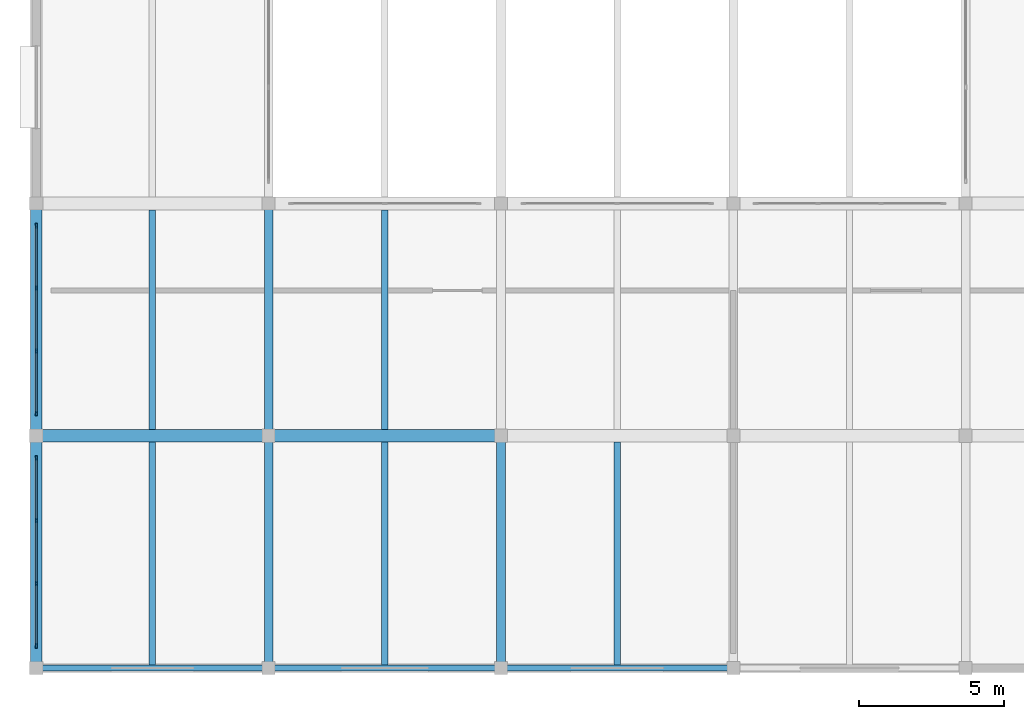
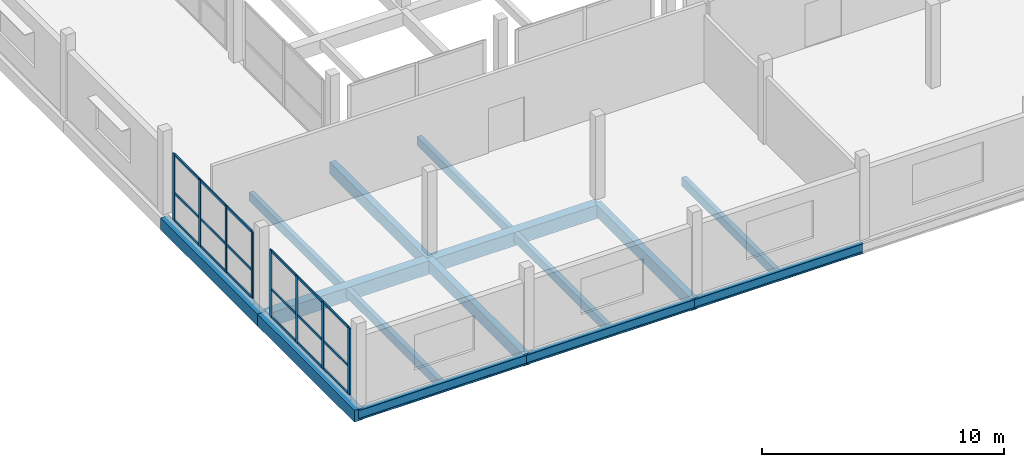
# One storey, part 5 of 53: 26 members, 15 beams, 2 elements without a shape of their own.
"""IFC4 building model written with IfcOpenShell, lengths in metres."""

from ifc_helpers import new_model, si_unit, direction, frame, origin, origin_2d, place, context, subcontext, project, spatial, rectangle, i_section, extrude, material, material_profile, profile_set, type_object, element, aggregate, save


model = new_model("IFC4")

# Units and contexts
model_context = context("Model", 3, precision=1e-05, world=origin(), true_north=direction((0.0, 1.0)))
body_context = subcontext(model_context, "Body", "Model", "MODEL_VIEW")
ifc_project = project(units=[si_unit("LENGTHUNIT", "METRE"), si_unit("AREAUNIT", "SQUARE_METRE"), si_unit("VOLUMEUNIT", "CUBIC_METRE"), si_unit("PLANEANGLEUNIT", "RADIAN"), si_unit("MASSUNIT", "GRAM", prefix="KILO")], contexts=[model_context])

# Site, building, storey
site_placement = place(None, origin())
site = spatial("IfcSite", under=ifc_project, at=site_placement, CompositionType="ELEMENT")
building_placement = place(site_placement, origin())
building = spatial("IfcBuilding", under=site, at=building_placement, Name="Vharandega Faculty of Natural Sciences", CompositionType="ELEMENT")
storey_placement = place(building_placement, frame((0.0, 0.0, 10.199951171875)))
storey = spatial("IfcBuildingStorey", under=building, at=storey_placement, Name="L02", CompositionType="ELEMENT", Elevation=10.199951171875)

# Curtain wall, members
ifc_material_1 = material(Name="Aluminium and solar-control glass curtain wall", Category="aluminium")
curtain_wall_type_1 = type_object("IfcCurtainWallType", Name="Unitised Curtain Wall System CW-20", PredefinedType="NOTDEFINED", material=ifc_material_1)
curtain_wall_1_placement = place(storey_placement, origin())
curtain_wall_1 = element("IfcCurtainWall", 1, at=curtain_wall_1_placement, inside=storey, type_object=curtain_wall_type_1, Name="Curtain Wall CW-L02-131", PredefinedType="NOTDEFINED")
ifc_material_2 = material(Name="Thermally broken aluminium 6063-T6", Category="aluminium")
ifc_material_profile_1 = material_profile(ifc_material_2, rectangle(XDim=0.06005859375, YDim=0.159912109375, at=origin_2d()), Name="ALU 60x160")
ifc_profile_set_1 = profile_set([ifc_material_profile_1], Name="Thermally broken aluminium 6063-T6")
member_type_1 = type_object("IfcMemberType", Name="CW Mullion 60x160", PredefinedType="MULLION", material=ifc_profile_set_1)
member_1_placement = place(storey_placement, frame((0.0, 0.77001953125, 0.0), z_axis=(0.0, 0.0, 1.0), x_axis=(-1.0, 0.0, 0.0)))
member_1 = element("IfcMember", 2, at=member_1_placement, type_object=member_type_1, Name="CW-20 mullion 1", PredefinedType="MULLION", context=body_context, shape_type="SweptSolid", body=[
    extrude(rectangle(XDim=0.06005859375, YDim=0.159912109375, at=origin_2d()), origin(), (0.0, 0.0, 1.0), 3.360107421875),
])
member_2_placement = place(storey_placement, frame((0.0, 2.913330078125, 0.0), z_axis=(0.0, 0.0, 1.0), x_axis=(-1.0, 0.0, 0.0)))
member_2 = element("IfcMember", 3, at=member_2_placement, type_object=member_type_1, Name="CW-20 mullion 2", PredefinedType="MULLION", context=body_context, shape_type="SweptSolid", body=[
    extrude(rectangle(XDim=0.06005859375, YDim=0.159912109375, at=origin_2d()), origin(), (0.0, 0.0, 1.0), 3.360107421875),
])
member_3_placement = place(storey_placement, frame((0.0, 5.086669921875, 0.0), z_axis=(0.0, 0.0, 1.0), x_axis=(-1.0, 0.0, 0.0)))
member_3 = element("IfcMember", 4, at=member_3_placement, type_object=member_type_1, Name="CW-20 mullion 3", PredefinedType="MULLION", context=body_context, shape_type="SweptSolid", body=[
    extrude(rectangle(XDim=0.06005859375, YDim=0.159912109375, at=origin_2d()), origin(), (0.0, 0.0, 1.0), 3.360107421875),
])
member_4_placement = place(storey_placement, frame((0.0, 7.22998046875, 0.0), z_axis=(0.0, 0.0, 1.0), x_axis=(-1.0, 0.0, 0.0)))
member_4 = element("IfcMember", 5, at=member_4_placement, type_object=member_type_1, Name="CW-20 mullion 4", PredefinedType="MULLION", context=body_context, shape_type="SweptSolid", body=[
    extrude(rectangle(XDim=0.06005859375, YDim=0.159912109375, at=origin_2d()), origin(), (0.0, 0.0, 1.0), 3.360107421875),
])

ifc_material_3 = material(Name="Aluminium and solar-control glass curtain wall", Category="aluminium")
curtain_wall_type_2 = type_object("IfcCurtainWallType", Name="Unitised Curtain Wall System CW-21", PredefinedType="NOTDEFINED", material=ifc_material_3)
curtain_wall_2_placement = place(storey_placement, origin())
curtain_wall_2 = element("IfcCurtainWall", 6, at=curtain_wall_2_placement, inside=storey, type_object=curtain_wall_type_2, Name="Curtain Wall CW-L02-132", PredefinedType="NOTDEFINED")
member_5_placement = place(storey_placement, frame((0.0, 8.77001953125, 0.0), z_axis=(0.0, 0.0, 1.0), x_axis=(-1.0, 0.0, 0.0)))
member_5 = element("IfcMember", 7, at=member_5_placement, type_object=member_type_1, Name="CW-21 mullion 1", PredefinedType="MULLION", context=body_context, shape_type="SweptSolid", body=[
    extrude(rectangle(XDim=0.06005859375, YDim=0.159912109375, at=origin_2d()), origin(), (0.0, 0.0, 1.0), 3.360107421875),
])
member_6_placement = place(storey_placement, frame((0.0, 10.913330078125, 0.0), z_axis=(0.0, 0.0, 1.0), x_axis=(-1.0, 0.0, 0.0)))
member_6 = element("IfcMember", 8, at=member_6_placement, type_object=member_type_1, Name="CW-21 mullion 2", PredefinedType="MULLION", context=body_context, shape_type="SweptSolid", body=[
    extrude(rectangle(XDim=0.06005859375, YDim=0.159912109375, at=origin_2d()), origin(), (0.0, 0.0, 1.0), 3.360107421875),
])
member_7_placement = place(storey_placement, frame((0.0, 13.086669921875, 0.0), z_axis=(0.0, 0.0, 1.0), x_axis=(-1.0, 0.0, 0.0)))
member_7 = element("IfcMember", 9, at=member_7_placement, type_object=member_type_1, Name="CW-21 mullion 3", PredefinedType="MULLION", context=body_context, shape_type="SweptSolid", body=[
    extrude(rectangle(XDim=0.06005859375, YDim=0.159912109375, at=origin_2d()), origin(), (0.0, 0.0, 1.0), 3.360107421875),
])
member_8_placement = place(storey_placement, frame((0.0, 15.22998046875, 0.0), z_axis=(0.0, 0.0, 1.0), x_axis=(-1.0, 0.0, 0.0)))
member_8 = element("IfcMember", 10, at=member_8_placement, type_object=member_type_1, Name="CW-21 mullion 4", PredefinedType="MULLION", context=body_context, shape_type="SweptSolid", body=[
    extrude(rectangle(XDim=0.06005859375, YDim=0.159912109375, at=origin_2d()), origin(), (0.0, 0.0, 1.0), 3.360107421875),
])

# Member
ifc_material_4 = material(Name="Thermally broken aluminium 6063-T6", Category="aluminium")
ifc_material_profile_2 = material_profile(ifc_material_4, rectangle(XDim=0.06005859375, YDim=0.1201171875, at=origin_2d()), Name="ALU 60x120")
ifc_profile_set_2 = profile_set([ifc_material_profile_2], Name="Thermally broken aluminium 6063-T6")
member_type_2 = type_object("IfcMemberType", Name="CW Transom 60x120", PredefinedType="USERDEFINED", material=ifc_profile_set_2)
member_9_placement = place(storey_placement, frame((0.0, 0.800048828125, 0.030029296875), z_axis=(0.0, 1.0, 0.0), x_axis=(-1.0, 0.0, 0.0)))
member_9 = element("IfcMember", 11, at=member_9_placement, type_object=member_type_2, Name="CW-20 transom 1.1", ObjectType="TRANSOM", PredefinedType="USERDEFINED", context=body_context, shape_type="SweptSolid", body=[
    extrude(rectangle(XDim=0.06005859375, YDim=0.1201171875, at=origin_2d()), origin(), (0.0, 0.0, 1.0), 2.083251953125),
])

member_10_placement = place(storey_placement, frame((0.0, 0.800048828125, 1.4111328125), z_axis=(0.0, 1.0, 0.0), x_axis=(-1.0, 0.0, 0.0)))
member_10 = element("IfcMember", 12, at=member_10_placement, type_object=member_type_2, Name="CW-20 transom 1.2", ObjectType="TRANSOM", PredefinedType="USERDEFINED", context=body_context, shape_type="SweptSolid", body=[
    extrude(rectangle(XDim=0.06005859375, YDim=0.1201171875, at=origin_2d()), origin(), (0.0, 0.0, 1.0), 2.083251953125),
])

member_11_placement = place(storey_placement, frame((0.0, 0.800048828125, 3.330078125), z_axis=(0.0, 1.0, 0.0), x_axis=(-1.0, 0.0, 0.0)))
member_11 = element("IfcMember", 13, at=member_11_placement, type_object=member_type_2, Name="CW-20 transom 1.3", ObjectType="TRANSOM", PredefinedType="USERDEFINED", context=body_context, shape_type="SweptSolid", body=[
    extrude(rectangle(XDim=0.06005859375, YDim=0.1201171875, at=origin_2d()), origin(), (0.0, 0.0, 1.0), 2.083251953125),
])

member_12_placement = place(storey_placement, frame((0.0, 2.943359375, 0.030029296875), z_axis=(0.0, 1.0, 0.0), x_axis=(-1.0, 0.0, 0.0)))
member_12 = element("IfcMember", 14, at=member_12_placement, type_object=member_type_2, Name="CW-20 transom 2.1", ObjectType="TRANSOM", PredefinedType="USERDEFINED", context=body_context, shape_type="SweptSolid", body=[
    extrude(rectangle(XDim=0.06005859375, YDim=0.1201171875, at=origin_2d()), origin(), (0.0, 0.0, 1.0), 2.11328125),
])

member_13_placement = place(storey_placement, frame((0.0, 2.943359375, 1.4111328125), z_axis=(0.0, 1.0, 0.0), x_axis=(-1.0, 0.0, 0.0)))
member_13 = element("IfcMember", 15, at=member_13_placement, type_object=member_type_2, Name="CW-20 transom 2.2", ObjectType="TRANSOM", PredefinedType="USERDEFINED", context=body_context, shape_type="SweptSolid", body=[
    extrude(rectangle(XDim=0.06005859375, YDim=0.1201171875, at=origin_2d()), origin(), (0.0, 0.0, 1.0), 2.11328125),
])

member_14_placement = place(storey_placement, frame((0.0, 2.943359375, 3.330078125), z_axis=(0.0, 1.0, 0.0), x_axis=(-1.0, 0.0, 0.0)))
member_14 = element("IfcMember", 16, at=member_14_placement, type_object=member_type_2, Name="CW-20 transom 2.3", ObjectType="TRANSOM", PredefinedType="USERDEFINED", context=body_context, shape_type="SweptSolid", body=[
    extrude(rectangle(XDim=0.06005859375, YDim=0.1201171875, at=origin_2d()), origin(), (0.0, 0.0, 1.0), 2.11328125),
])

member_15_placement = place(storey_placement, frame((0.0, 5.11669921875, 0.030029296875), z_axis=(0.0, 1.0, 0.0), x_axis=(-1.0, 0.0, 0.0)))
member_15 = element("IfcMember", 17, at=member_15_placement, type_object=member_type_2, Name="CW-20 transom 3.1", ObjectType="TRANSOM", PredefinedType="USERDEFINED", context=body_context, shape_type="SweptSolid", body=[
    extrude(rectangle(XDim=0.06005859375, YDim=0.1201171875, at=origin_2d()), origin(), (0.0, 0.0, 1.0), 2.083251953125),
])

member_16_placement = place(storey_placement, frame((0.0, 5.11669921875, 1.4111328125), z_axis=(0.0, 1.0, 0.0), x_axis=(-1.0, 0.0, 0.0)))
member_16 = element("IfcMember", 18, at=member_16_placement, type_object=member_type_2, Name="CW-20 transom 3.2", ObjectType="TRANSOM", PredefinedType="USERDEFINED", context=body_context, shape_type="SweptSolid", body=[
    extrude(rectangle(XDim=0.06005859375, YDim=0.1201171875, at=origin_2d()), origin(), (0.0, 0.0, 1.0), 2.083251953125),
])

member_17_placement = place(storey_placement, frame((0.0, 5.11669921875, 3.330078125), z_axis=(0.0, 1.0, 0.0), x_axis=(-1.0, 0.0, 0.0)))
member_17 = element("IfcMember", 19, at=member_17_placement, type_object=member_type_2, Name="CW-20 transom 3.3", ObjectType="TRANSOM", PredefinedType="USERDEFINED", context=body_context, shape_type="SweptSolid", body=[
    extrude(rectangle(XDim=0.06005859375, YDim=0.1201171875, at=origin_2d()), origin(), (0.0, 0.0, 1.0), 2.083251953125),
])

aggregate(curtain_wall_1, [member_1, member_2, member_3, member_4, member_9, member_10, member_11, member_12, member_13, member_14, member_15, member_16, member_17])

member_18_placement = place(storey_placement, frame((0.0, 8.800048828125, 0.030029296875), z_axis=(0.0, 1.0, 0.0), x_axis=(-1.0, 0.0, 0.0)))
member_18 = element("IfcMember", 20, at=member_18_placement, type_object=member_type_2, Name="CW-21 transom 1.1", ObjectType="TRANSOM", PredefinedType="USERDEFINED", context=body_context, shape_type="SweptSolid", body=[
    extrude(rectangle(XDim=0.06005859375, YDim=0.1201171875, at=origin_2d()), origin(), (0.0, 0.0, 1.0), 2.083251953125),
])

member_19_placement = place(storey_placement, frame((0.0, 8.800048828125, 1.4111328125), z_axis=(0.0, 1.0, 0.0), x_axis=(-1.0, 0.0, 0.0)))
member_19 = element("IfcMember", 21, at=member_19_placement, type_object=member_type_2, Name="CW-21 transom 1.2", ObjectType="TRANSOM", PredefinedType="USERDEFINED", context=body_context, shape_type="SweptSolid", body=[
    extrude(rectangle(XDim=0.06005859375, YDim=0.1201171875, at=origin_2d()), origin(), (0.0, 0.0, 1.0), 2.083251953125),
])

member_20_placement = place(storey_placement, frame((0.0, 8.800048828125, 3.330078125), z_axis=(0.0, 1.0, 0.0), x_axis=(-1.0, 0.0, 0.0)))
member_20 = element("IfcMember", 22, at=member_20_placement, type_object=member_type_2, Name="CW-21 transom 1.3", ObjectType="TRANSOM", PredefinedType="USERDEFINED", context=body_context, shape_type="SweptSolid", body=[
    extrude(rectangle(XDim=0.06005859375, YDim=0.1201171875, at=origin_2d()), origin(), (0.0, 0.0, 1.0), 2.083251953125),
])

member_21_placement = place(storey_placement, frame((0.0, 10.943359375, 0.030029296875), z_axis=(0.0, 1.0, 0.0), x_axis=(-1.0, 0.0, 0.0)))
member_21 = element("IfcMember", 23, at=member_21_placement, type_object=member_type_2, Name="CW-21 transom 2.1", ObjectType="TRANSOM", PredefinedType="USERDEFINED", context=body_context, shape_type="SweptSolid", body=[
    extrude(rectangle(XDim=0.06005859375, YDim=0.1201171875, at=origin_2d()), origin(), (0.0, 0.0, 1.0), 2.11328125),
])

member_22_placement = place(storey_placement, frame((0.0, 10.943359375, 1.4111328125), z_axis=(0.0, 1.0, 0.0), x_axis=(-1.0, 0.0, 0.0)))
member_22 = element("IfcMember", 24, at=member_22_placement, type_object=member_type_2, Name="CW-21 transom 2.2", ObjectType="TRANSOM", PredefinedType="USERDEFINED", context=body_context, shape_type="SweptSolid", body=[
    extrude(rectangle(XDim=0.06005859375, YDim=0.1201171875, at=origin_2d()), origin(), (0.0, 0.0, 1.0), 2.11328125),
])

member_23_placement = place(storey_placement, frame((0.0, 10.943359375, 3.330078125), z_axis=(0.0, 1.0, 0.0), x_axis=(-1.0, 0.0, 0.0)))
member_23 = element("IfcMember", 25, at=member_23_placement, type_object=member_type_2, Name="CW-21 transom 2.3", ObjectType="TRANSOM", PredefinedType="USERDEFINED", context=body_context, shape_type="SweptSolid", body=[
    extrude(rectangle(XDim=0.06005859375, YDim=0.1201171875, at=origin_2d()), origin(), (0.0, 0.0, 1.0), 2.11328125),
])

member_24_placement = place(storey_placement, frame((0.0, 13.11669921875, 0.030029296875), z_axis=(0.0, 1.0, 0.0), x_axis=(-1.0, 0.0, 0.0)))
member_24 = element("IfcMember", 26, at=member_24_placement, type_object=member_type_2, Name="CW-21 transom 3.1", ObjectType="TRANSOM", PredefinedType="USERDEFINED", context=body_context, shape_type="SweptSolid", body=[
    extrude(rectangle(XDim=0.06005859375, YDim=0.1201171875, at=origin_2d()), origin(), (0.0, 0.0, 1.0), 2.083251953125),
])

member_25_placement = place(storey_placement, frame((0.0, 13.11669921875, 1.4111328125), z_axis=(0.0, 1.0, 0.0), x_axis=(-1.0, 0.0, 0.0)))
member_25 = element("IfcMember", 27, at=member_25_placement, type_object=member_type_2, Name="CW-21 transom 3.2", ObjectType="TRANSOM", PredefinedType="USERDEFINED", context=body_context, shape_type="SweptSolid", body=[
    extrude(rectangle(XDim=0.06005859375, YDim=0.1201171875, at=origin_2d()), origin(), (0.0, 0.0, 1.0), 2.083251953125),
])

member_26_placement = place(storey_placement, frame((0.0, 13.11669921875, 3.330078125), z_axis=(0.0, 1.0, 0.0), x_axis=(-1.0, 0.0, 0.0)))
member_26 = element("IfcMember", 28, at=member_26_placement, type_object=member_type_2, Name="CW-21 transom 3.3", ObjectType="TRANSOM", PredefinedType="USERDEFINED", context=body_context, shape_type="SweptSolid", body=[
    extrude(rectangle(XDim=0.06005859375, YDim=0.1201171875, at=origin_2d()), origin(), (0.0, 0.0, 1.0), 2.083251953125),
])

aggregate(curtain_wall_2, [member_5, member_6, member_7, member_8, member_18, member_19, member_20, member_21, member_22, member_23, member_24, member_25, member_26])

# Beams
ifc_material_5 = material(Name="Glulam GL28h", Category="wood")
ifc_material_profile_3 = material_profile(ifc_material_5, rectangle(XDim=0.300048828125, YDim=0.60009765625, at=origin_2d()), Name="GL28h 300x600")
ifc_profile_set_3 = profile_set([ifc_material_profile_3], Name="Glulam GL28h")
beam_type_1 = type_object("IfcBeamType", Name="Glulam Floor Beam 300x600", PredefinedType="BEAM", material=ifc_profile_set_3)
for number, where, z_axis, x_axis, name in (
    (29, (8.0, 0.0, -0.579833984375), (0.0, 1.0, 0.0), (-1.0, 0.0, 0.0), "Beam L02 2/A-B"),
    (30, (8.0, 8.0, -0.579833984375), (0.0, 1.0, 0.0), (-1.0, 0.0, 0.0), "Beam L02 2/B-C"),
    (31, (16.0, 0.0, -0.579833984375), (0.0, 1.0, 0.0), (-1.0, 0.0, 0.0), "Beam L02 3/A-B"),
):
    element("IfcBeam", number, at=place(storey_placement, frame(where, z_axis=z_axis, x_axis=x_axis)), inside=storey, type_object=beam_type_1, Name=name, PredefinedType="BEAM", context=body_context, shape_type="SweptSolid", body=[
        extrude(rectangle(XDim=0.300048828125, YDim=0.60009765625, at=origin_2d()), origin(), (0.0, 0.0, 1.0), 8.0),
    ])
ifc_material_6 = material(Name="Glulam GL32h", Category="wood")
ifc_material_profile_4 = material_profile(ifc_material_6, rectangle(XDim=0.43994140625, YDim=0.679931640625, at=origin_2d()), Name="GL32h 440x680")
ifc_profile_set_4 = profile_set([ifc_material_profile_4], Name="Glulam GL32h")
beam_type_2 = type_object("IfcBeamType", Name="Glulam Girder 440x680", PredefinedType="BEAM", material=ifc_profile_set_4)
for number, where, z_axis, x_axis, name in (
    (32, (0.0, 8.0, -0.619873046875), (1.0, 0.0, 0.0), (0.0, 1.0, 0.0), "Beam L02 B/1-2"),
    (33, (8.0, 8.0, -0.619873046875), (1.0, 0.0, 0.0), (0.0, 1.0, 0.0), "Beam L02 B/2-3"),
):
    element("IfcBeam", number, at=place(storey_placement, frame(where, z_axis=z_axis, x_axis=x_axis)), inside=storey, type_object=beam_type_2, Name=name, PredefinedType="BEAM", context=body_context, shape_type="SweptSolid", body=[
        extrude(rectangle(XDim=0.43994140625, YDim=0.679931640625, at=origin_2d()), origin(), (0.0, 0.0, 1.0), 8.0),
    ])
ifc_material_7 = material(Name="Glulam GL28h", Category="wood")
ifc_material_profile_5 = material_profile(ifc_material_7, rectangle(XDim=0.219970703125, YDim=0.43994140625, at=origin_2d()), Name="GL28h 220x440")
ifc_profile_set_5 = profile_set([ifc_material_profile_5], Name="Glulam GL28h")
beam_type_3 = type_object("IfcBeamType", Name="Glulam Secondary Joist 220x440", PredefinedType="JOIST", material=ifc_profile_set_5)
beam_1_placement = place(storey_placement, frame((4.0, 0.10009765625, -0.5), z_axis=(0.0, 1.0, 0.0), x_axis=(-1.0, 0.0, 0.0)))
element("IfcBeam", 34, at=beam_1_placement, inside=storey, type_object=beam_type_3, Name="Secondary Joist L02 1-2/A-B", PredefinedType="JOIST", context=body_context, shape_type="SweptSolid", body=[
    extrude(rectangle(XDim=0.219970703125, YDim=0.43994140625, at=origin_2d()), origin(), (0.0, 0.0, 1.0), 7.679931640625),
])
beam_2_placement = place(storey_placement, frame((4.0, 8.219970703125, -0.5), z_axis=(0.0, 1.0, 0.0), x_axis=(-1.0, 0.0, 0.0)))
element("IfcBeam", 35, at=beam_2_placement, inside=storey, type_object=beam_type_3, Name="Secondary Joist L02 1-2/B-C", PredefinedType="JOIST", context=body_context, shape_type="SweptSolid", body=[
    extrude(rectangle(XDim=0.219970703125, YDim=0.43994140625, at=origin_2d()), origin(), (0.0, 0.0, 1.0), 7.56005859375),
])
beam_3_placement = place(storey_placement, frame((12.0, 0.10009765625, -0.5), z_axis=(0.0, 1.0, 0.0), x_axis=(-1.0, 0.0, 0.0)))
element("IfcBeam", 36, at=beam_3_placement, inside=storey, type_object=beam_type_3, Name="Secondary Joist L02 2-3/A-B", PredefinedType="JOIST", context=body_context, shape_type="SweptSolid", body=[
    extrude(rectangle(XDim=0.219970703125, YDim=0.43994140625, at=origin_2d()), origin(), (0.0, 0.0, 1.0), 7.679931640625),
])
beam_4_placement = place(storey_placement, frame((12.0, 8.219970703125, -0.5), z_axis=(0.0, 1.0, 0.0), x_axis=(-1.0, 0.0, 0.0)))
element("IfcBeam", 37, at=beam_4_placement, inside=storey, type_object=beam_type_3, Name="Secondary Joist L02 2-3/B-C", PredefinedType="JOIST", context=body_context, shape_type="SweptSolid", body=[
    extrude(rectangle(XDim=0.219970703125, YDim=0.43994140625, at=origin_2d()), origin(), (0.0, 0.0, 1.0), 7.56005859375),
])
beam_5_placement = place(storey_placement, frame((20.0, 0.10009765625, -0.5), z_axis=(0.0, 1.0, 0.0), x_axis=(-1.0, 0.0, 0.0)))
element("IfcBeam", 38, at=beam_5_placement, inside=storey, type_object=beam_type_3, Name="Secondary Joist L02 3-4/A-B", PredefinedType="JOIST", context=body_context, shape_type="SweptSolid", body=[
    extrude(rectangle(XDim=0.219970703125, YDim=0.43994140625, at=origin_2d()), origin(), (0.0, 0.0, 1.0), 7.679931640625),
])
ifc_material_8 = material(Name="Glulam GL32h", Category="wood")
ifc_material_profile_6 = material_profile(ifc_material_8, rectangle(XDim=0.39990234375, YDim=0.60009765625, at=origin_2d()), Name="GL32h 400x600")
ifc_profile_set_6 = profile_set([ifc_material_profile_6], Name="Glulam GL32h")
beam_type_4 = type_object("IfcBeamType", Name="Glulam Spine Girder 400x600", PredefinedType="BEAM", material=ifc_profile_set_6)
for number, where, z_axis, x_axis, name in (
    (39, (0.0, 0.0, -0.579833984375), (0.0, 1.0, 0.0), (-1.0, 0.0, 0.0), "Beam L02 1/A-B"),
    (40, (0.0, 8.0, -0.579833984375), (0.0, 1.0, 0.0), (-1.0, 0.0, 0.0), "Beam L02 1/B-C"),
):
    element("IfcBeam", number, at=place(storey_placement, frame(where, z_axis=z_axis, x_axis=x_axis)), inside=storey, type_object=beam_type_4, Name=name, PredefinedType="BEAM", context=body_context, shape_type="SweptSolid", body=[
        extrude(rectangle(XDim=0.39990234375, YDim=0.60009765625, at=origin_2d()), origin(), (0.0, 0.0, 1.0), 8.0),
    ])
ifc_material_9 = material(Name="Steel S355", Category="steel")
ifc_material_profile_7 = material_profile(ifc_material_9, i_section(OverallWidth=0.199951171875, OverallDepth=0.5, WebThickness=0.01025390625, FlangeThickness=0.01611328125, FilletRadius=0.02099609375, at=origin_2d()), Name="IPE 500")
ifc_profile_set_7 = profile_set([ifc_material_profile_7], Name="Steel S355")
beam_type_5 = type_object("IfcBeamType", Name="Steel Spandrel Beam IPE 500", PredefinedType="SPANDREL", material=ifc_profile_set_7)
for number, where, z_axis, x_axis, name in (
    (41, (0.0, 0.0, -0.530029296875), (1.0, 0.0, 0.0), (0.0, 1.0, 0.0), "Beam L02 A/1-2"),
    (42, (8.0, 0.0, -0.530029296875), (1.0, 0.0, 0.0), (0.0, 1.0, 0.0), "Beam L02 A/2-3"),
    (43, (16.0, 0.0, -0.530029296875), (1.0, 0.0, 0.0), (0.0, 1.0, 0.0), "Beam L02 A/3-4"),
):
    element("IfcBeam", number, at=place(storey_placement, frame(where, z_axis=z_axis, x_axis=x_axis)), inside=storey, type_object=beam_type_5, Name=name, PredefinedType="SPANDREL", context=body_context, shape_type="SweptSolid", body=[
        extrude(i_section(OverallWidth=0.199951171875, OverallDepth=0.5, WebThickness=0.01025390625, FlangeThickness=0.01611328125, FilletRadius=0.02099609375, at=origin_2d()), origin(), (0.0, 0.0, 1.0), 8.0),
    ])

save(model, "model.ifc")
